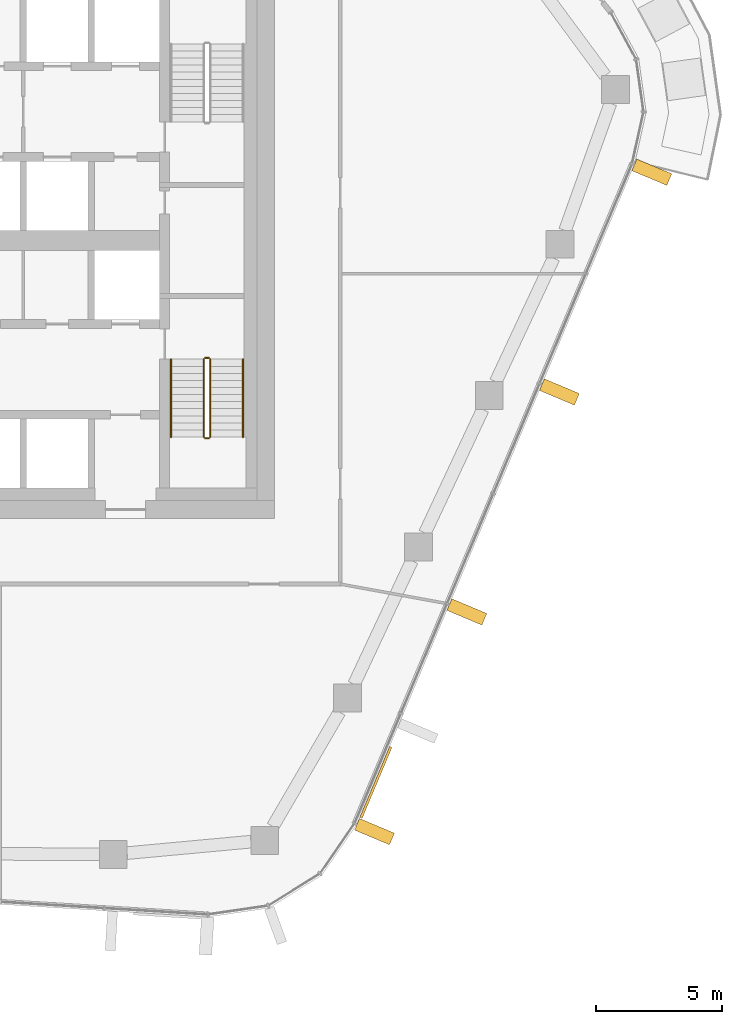
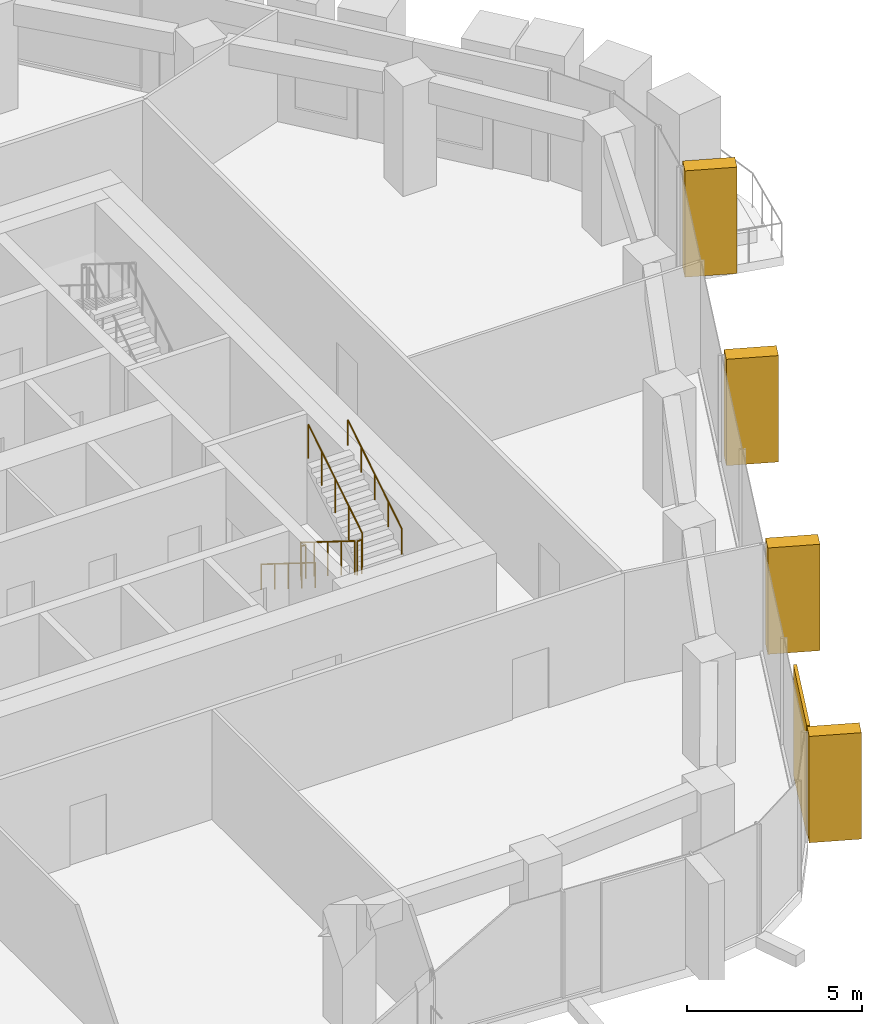
# One storey, part 17 of 20: 6 railings, 5 coverings, 1 element without a shape of its own.
"""IFC4 building model written with IfcOpenShell, lengths in metres."""

from ifc_helpers import new_model, si_unit, direction, frame, origin, origin_2d, place, context, subcontext, project, spatial, rectangle, circle, extrude, material, layer, layer_set, material_profile, profile_set, type_object, element, aggregate, save


model = new_model("IFC4")

# Units and contexts
model_context = context("Model", 3, precision=1e-05, world=origin(), true_north=direction((0.0, 1.0)))
body_context = subcontext(model_context, "Body", "Model", "MODEL_VIEW")
ifc_project = project(units=[si_unit("LENGTHUNIT", "METRE"), si_unit("AREAUNIT", "SQUARE_METRE"), si_unit("VOLUMEUNIT", "CUBIC_METRE"), si_unit("PLANEANGLEUNIT", "RADIAN"), si_unit("MASSUNIT", "GRAM", prefix="KILO")], contexts=[model_context])

# Site, building, storey
site_placement = place(None, origin())
site = spatial("IfcSite", under=ifc_project, at=site_placement, CompositionType="ELEMENT")
building_placement = place(site_placement, origin())
building = spatial("IfcBuilding", under=site, at=building_placement, Name="Dongbaek Canopy Tower", CompositionType="ELEMENT")
storey_placement = place(building_placement, frame((0.0, 0.0, 258.0)))
storey = spatial("IfcBuildingStorey", under=building, at=storey_placement, Name="L54", CompositionType="ELEMENT", Elevation=258.0)

# Curtain wall, coverings
ifc_material_1 = material(Name="Aluminium 6063-T6 pale anodised", Category="aluminium")
ifc_layer_1 = layer(ifc_material_1, 0.199951171875)
ifc_layer_set_1 = layer_set([ifc_layer_1], Name="CW-1 unitised tower curtain wall")
curtain_wall_type = type_object("IfcCurtainWallType", Name="CW-1 unitised tower curtain wall", PredefinedType="NOTDEFINED", material=ifc_layer_set_1)
curtain_wall_placement = place(storey_placement, origin())
curtain_wall = element("IfcCurtainWall", 1, at=curtain_wall_placement, inside=storey, type_object=curtain_wall_type, Name="CW-1 curtain wall F5.1", PredefinedType="NOTDEFINED")
ifc_material_2 = material(Name="Perforated aluminium 6063-T6 pale metal screen", Category="aluminium")
ifc_layer_2 = layer(ifc_material_2, 0.10009765625)
ifc_layer_set_2 = layer_set([ifc_layer_2], Name="Facet screen FS1 100 pale metal")
covering_type_1 = type_object("IfcCoveringType", Name="Facet screen FS1 100 pale metal", PredefinedType="CLADDING", material=ifc_layer_set_2)
covering_1_placement = place(storey_placement, frame((18.010498046875, -21.45361328125, 0.0), z_axis=(0.0, 0.0, 1.0), x_axis=(0.387695781976, 0.92178738364, 0.0)))
covering_1 = element("IfcCovering", 2, at=covering_1_placement, type_object=covering_type_1, Name="Facet screen L54 F5", PredefinedType="CLADDING", context=body_context, shape_type="SweptSolid", body=[
    extrude(rectangle(XDim=3.0498046875, YDim=0.10009765625, at=origin_2d()), origin(), (0.0, 0.0, 1.0), 3.820068359375),
])
ifc_material_3 = material(Name="Aluminium 6063-T6 pale metal fin", Category="aluminium")
ifc_material_profile = material_profile(ifc_material_3, rectangle(XDim=1.5, YDim=0.5, at=origin_2d()), Name="Fin FN1 500 x 1500 pale metal")
ifc_profile_set = profile_set([ifc_material_profile], Name="Aluminium 6063-T6 pale metal fin")
covering_type_2 = type_object("IfcCoveringType", Name="Fin FN1 500 x 1500 pale metal", PredefinedType="CLADDING", material=ifc_profile_set)
covering_2_placement = place(storey_placement, frame((17.955810546875, -23.399658203125, 0.1201171875), z_axis=(0.0, 0.0, 1.0), x_axis=(0.92178748934, -0.387695530662, 0.0)))
covering_2 = element("IfcCovering", 3, at=covering_2_placement, type_object=covering_type_2, Name="Fin F5.1.1", PredefinedType="CLADDING", context=body_context, shape_type="SweptSolid", body=[
    extrude(rectangle(XDim=1.5, YDim=0.5, at=origin_2d()), origin(), (0.0, 0.0, 1.0), 3.699951171875),
])
covering_3_placement = place(storey_placement, frame((21.613525390625, -14.703125, 0.1201171875), z_axis=(0.0, 0.0, 1.0), x_axis=(0.92178748934, -0.387695530662, 0.0)))
covering_3 = element("IfcCovering", 4, at=covering_3_placement, type_object=covering_type_2, Name="Fin F5.1.3", PredefinedType="CLADDING", context=body_context, shape_type="SweptSolid", body=[
    extrude(rectangle(XDim=1.5, YDim=0.5, at=origin_2d()), origin(), (0.0, 0.0, 1.0), 3.699951171875),
])
covering_4_placement = place(storey_placement, frame((25.275146484375, -5.9970703125, 0.1201171875), z_axis=(0.0, 0.0, 1.0), x_axis=(0.92178748934, -0.387695530662, 0.0)))
covering_4 = element("IfcCovering", 5, at=covering_4_placement, type_object=covering_type_2, Name="Fin F5.1.5", PredefinedType="CLADDING", context=body_context, shape_type="SweptSolid", body=[
    extrude(rectangle(XDim=1.5, YDim=0.5, at=origin_2d()), origin(), (0.0, 0.0, 1.0), 3.699951171875),
])
covering_5_placement = place(storey_placement, frame((28.933349609375, 2.70068359375, 0.1201171875), z_axis=(0.0, 0.0, 1.0), x_axis=(0.92178748934, -0.387695530662, 0.0)))
covering_5 = element("IfcCovering", 6, at=covering_5_placement, type_object=covering_type_2, Name="Fin F5.1.7", PredefinedType="CLADDING", context=body_context, shape_type="SweptSolid", body=[
    extrude(rectangle(XDim=1.5, YDim=0.5, at=origin_2d()), origin(), (0.0, 0.0, 1.0), 3.699951171875),
])
aggregate(curtain_wall, [covering_2, covering_3, covering_4, covering_5, covering_1])

# Railings
ifc_material_4 = material(Name="Stainless steel tube and balusters", Category="steel")
railing_type_1 = type_object("IfcRailingType", Name="Stair guard 1200", PredefinedType="GUARDRAIL", material=ifc_material_4)
railing_1_placement = place(storey_placement, frame((11.199951171875, -4.699951171875, 0.175048828125)))
element("IfcRailing", 7, at=railing_1_placement, inside=storey, type_object=railing_type_1, Name="L54 ST-B stair guard 1", PredefinedType="GUARDRAIL", context=body_context, shape_type="SweptSolid", body=[
    extrude(circle(Radius=0.02392578125, at=origin_2d()), frame((0.0, 0.0, 1.17578125), z_axis=(0.0, -0.847998304005, 0.529998940003), x_axis=(1.0, 0.0, 0.0)), (0.0, 0.0, 1.0), 3.632080078125),
    extrude(circle(Radius=0.02099609375, at=origin_2d()), origin(), (0.0, 0.0, 1.0), 1.15185546875),
    extrude(circle(Radius=0.02099609375, at=origin_2d()), frame((0.0, -0.77001953125, 0.481201171875)), (0.0, 0.0, 1.0), 1.15185546875),
    extrude(circle(Radius=0.02099609375, at=origin_2d()), frame((0.0, -1.5400390625, 0.96240234375)), (0.0, 0.0, 1.0), 1.15185546875),
    extrude(circle(Radius=0.02099609375, at=origin_2d()), frame((0.0, -2.31005859375, 1.44384765625)), (0.0, 0.0, 1.0), 1.15185546875),
    extrude(circle(Radius=0.02099609375, at=origin_2d()), frame((0.0, -3.080078125, 1.925048828125)), (0.0, 0.0, 1.0), 1.15185546875),
])
railing_2_placement = place(storey_placement, frame((11.25, -7.830078125, 2.10009765625)))
element("IfcRailing", 8, at=railing_2_placement, inside=storey, type_object=railing_type_1, Name="L54 ST-B stair guard 2", PredefinedType="GUARDRAIL", context=body_context, shape_type="SweptSolid", body=[
    extrude(circle(Radius=0.02392578125, at=origin_2d()), frame((0.0, 0.0, 1.17578125), z_axis=(1.0, 0.0, 0.0), x_axis=(0.0, 1.0, 0.0)), (0.0, 0.0, 1.0), 0.14990234375),
    extrude(circle(Radius=0.02099609375, at=origin_2d()), origin(), (0.0, 0.0, 1.0), 1.15185546875),
    extrude(circle(Radius=0.02099609375, at=origin_2d()), frame((0.14990234375, 0.0, 0.0)), (0.0, 0.0, 1.0), 1.15185546875),
])
railing_3_placement = place(storey_placement, frame((11.449951171875, -7.780029296875, 2.27490234375)))
element("IfcRailing", 9, at=railing_3_placement, inside=storey, type_object=railing_type_1, Name="L54 ST-B stair guard 3", PredefinedType="GUARDRAIL", context=body_context, shape_type="SweptSolid", body=[
    extrude(circle(Radius=0.02392578125, at=origin_2d()), frame((0.0, 0.0, 1.17578125), z_axis=(0.0, 0.847998304005, 0.529998940003), x_axis=(-1.0, 0.0, 0.0)), (0.0, 0.0, 1.0), 3.632080078125),
    extrude(circle(Radius=0.02099609375, at=origin_2d()), origin(), (0.0, 0.0, 1.0), 1.15185546875),
    extrude(circle(Radius=0.02099609375, at=origin_2d()), frame((0.0, 0.77001953125, 0.481201171875)), (0.0, 0.0, 1.0), 1.15185546875),
    extrude(circle(Radius=0.02099609375, at=origin_2d()), frame((0.0, 1.5400390625, 0.96240234375)), (0.0, 0.0, 1.0), 1.15185546875),
    extrude(circle(Radius=0.02099609375, at=origin_2d()), frame((0.0, 2.31005859375, 1.44384765625)), (0.0, 0.0, 1.0), 1.15185546875),
    extrude(circle(Radius=0.02099609375, at=origin_2d()), frame((0.0, 3.080078125, 1.925048828125)), (0.0, 0.0, 1.0), 1.15185546875),
])
railing_4_placement = place(storey_placement, frame((11.25, -4.64990234375, 0.0)))
element("IfcRailing", 10, at=railing_4_placement, inside=storey, type_object=railing_type_1, Name="L54 ST-B stair guard 4", PredefinedType="GUARDRAIL", context=body_context, shape_type="SweptSolid", body=[
    extrude(circle(Radius=0.02392578125, at=origin_2d()), frame((0.0, 0.0, 1.17578125), z_axis=(1.0, 0.0, 0.0), x_axis=(0.0, 1.0, 0.0)), (0.0, 0.0, 1.0), 0.14990234375),
    extrude(circle(Radius=0.02099609375, at=origin_2d()), origin(), (0.0, 0.0, 1.0), 1.15185546875),
    extrude(circle(Radius=0.02099609375, at=origin_2d()), frame((0.14990234375, 0.0, 0.0)), (0.0, 0.0, 1.0), 1.15185546875),
])
ifc_material_5 = material(Name="Stainless steel tube", Category="steel")
railing_type_2 = type_object("IfcRailingType", Name="Stair handrail 900", PredefinedType="HANDRAIL", material=ifc_material_5)
railing_5_placement = place(storey_placement, frame((9.89990234375, -4.699951171875, 0.175048828125)))
element("IfcRailing", 11, at=railing_5_placement, inside=storey, type_object=railing_type_2, Name="L54 ST-B stair handrail 1", PredefinedType="HANDRAIL", context=body_context, shape_type="SweptSolid", body=[
    extrude(circle(Radius=0.02392578125, at=origin_2d()), frame((0.0, 0.0, 0.8759765625), z_axis=(0.0, -0.847998304005, 0.529998940003), x_axis=(1.0, 0.0, 0.0)), (0.0, 0.0, 1.0), 3.632080078125),
    extrude(circle(Radius=0.02099609375, at=origin_2d()), origin(), (0.0, 0.0, 1.0), 0.851806640625),
    extrude(circle(Radius=0.02099609375, at=origin_2d()), frame((0.0, -0.77001953125, 0.481201171875)), (0.0, 0.0, 1.0), 0.851806640625),
    extrude(circle(Radius=0.02099609375, at=origin_2d()), frame((0.0, -1.5400390625, 0.96240234375)), (0.0, 0.0, 1.0), 0.851806640625),
    extrude(circle(Radius=0.02099609375, at=origin_2d()), frame((0.0, -2.31005859375, 1.44384765625)), (0.0, 0.0, 1.0), 0.851806640625),
    extrude(circle(Radius=0.02099609375, at=origin_2d()), frame((0.0, -3.080078125, 1.925048828125)), (0.0, 0.0, 1.0), 0.851806640625),
])
railing_6_placement = place(storey_placement, frame((12.75, -7.780029296875, 2.27490234375)))
element("IfcRailing", 12, at=railing_6_placement, inside=storey, type_object=railing_type_2, Name="L54 ST-B stair handrail 2", PredefinedType="HANDRAIL", context=body_context, shape_type="SweptSolid", body=[
    extrude(circle(Radius=0.02392578125, at=origin_2d()), frame((0.0, 0.0, 0.8759765625), z_axis=(0.0, 0.847998304005, 0.529998940003), x_axis=(-1.0, 0.0, 0.0)), (0.0, 0.0, 1.0), 3.632080078125),
    extrude(circle(Radius=0.02099609375, at=origin_2d()), origin(), (0.0, 0.0, 1.0), 0.851806640625),
    extrude(circle(Radius=0.02099609375, at=origin_2d()), frame((0.0, 0.77001953125, 0.481201171875)), (0.0, 0.0, 1.0), 0.851806640625),
    extrude(circle(Radius=0.02099609375, at=origin_2d()), frame((0.0, 1.5400390625, 0.96240234375)), (0.0, 0.0, 1.0), 0.851806640625),
    extrude(circle(Radius=0.02099609375, at=origin_2d()), frame((0.0, 2.31005859375, 1.44384765625)), (0.0, 0.0, 1.0), 0.851806640625),
    extrude(circle(Radius=0.02099609375, at=origin_2d()), frame((0.0, 3.080078125, 1.925048828125)), (0.0, 0.0, 1.0), 0.851806640625),
])

save(model, "model.ifc")
